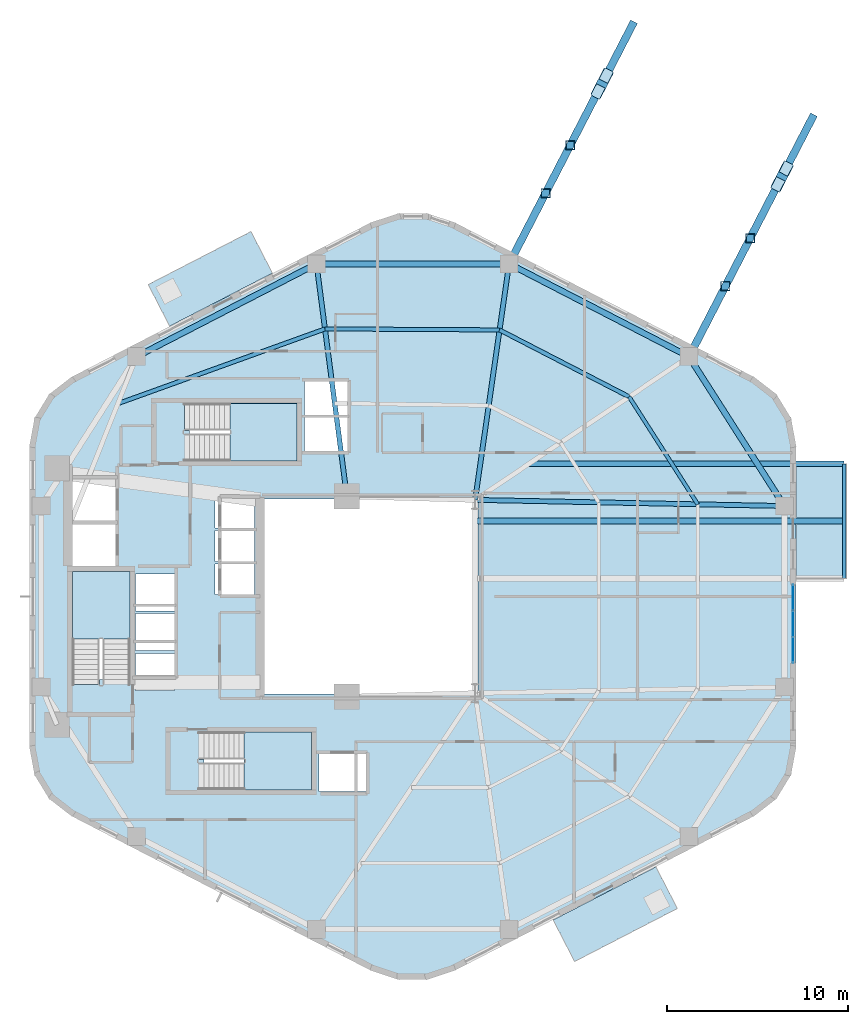
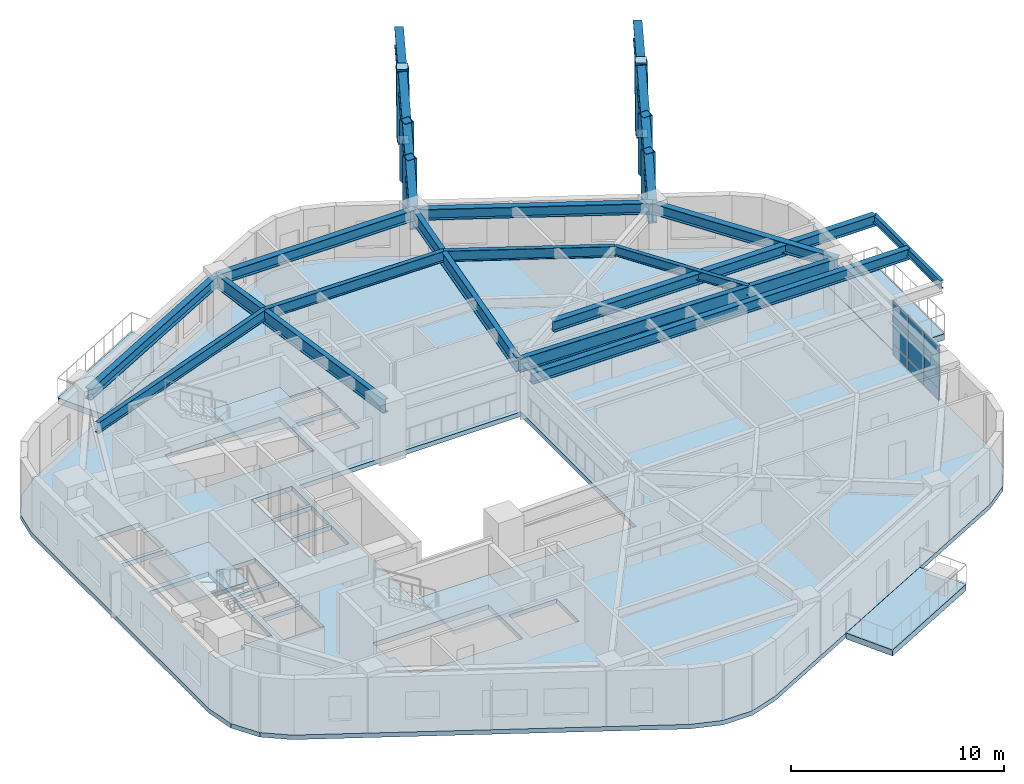
# One storey, part 3 of 10: 16 beams, 10 plates, 7 slabs, 6 members, 4 elements without a shape of their own.
"""IFC4 building model written with IfcOpenShell, lengths in metres."""

import ifcopenshell
import ifcopenshell.guid

model = None  # the IFC model being written
_history = None  # IfcOwnerHistory: only IFC2X3 demands one
_inside = {}  # id of a spatial element -> (the spatial element, [elements in it])
_under = {}  # id of a project, library or spatial element -> (it, [spatial elements below it])
_declared = {}  # id of a project -> (the project, [libraries it declares])
_typed = {}  # id of a type object -> (the type object, [elements of that type])
_made_of = {}  # id of a material, layer set ... -> (it, [elements and type objects made of it])


def new_model(schema):
    """Start an empty IFC model of exactly this schema.

    Asked for "IFC4X3", IfcOpenShell would pick the latest addendum, in which some entities
    have other attributes; the version numbers below select the first issue.
    IFC2X3 requires an IfcOwnerHistory on every rooted entity: one is made here for all.
    """
    global model, _history
    if schema == "IFC4X3":
        model = ifcopenshell.file(schema_version=(4, 3, 0, 0))
    else:
        model = ifcopenshell.file(schema=schema)
    _inside.clear()
    _under.clear()
    _declared.clear()
    _typed.clear()
    _made_of.clear()
    _history = None
    if model.schema == "IFC2X3":
        org = make("IfcOrganization", Name="unknown")
        user = make(
            "IfcPersonAndOrganization",
            ThePerson=make("IfcPerson", FamilyName="unknown"),
            TheOrganization=org,
        )
        app = make(
            "IfcApplication",
            ApplicationDeveloper=org,
            Version="unknown",
            ApplicationFullName="unknown",
            ApplicationIdentifier="unknown",
        )
        _history = make(
            "IfcOwnerHistory",
            OwningUser=user,
            OwningApplication=app,
            ChangeAction="ADDED",
            CreationDate=0,
        )
    return model


def make(cls, **values):
    """One entity of the class cls with the attributes given. An attribute that is None is left unset."""
    return model.create_entity(
        cls, **{name: value for name, value in values.items() if value is not None}
    )


def rooted(cls, **values):
    """An entity with a GlobalId (a new one), such as an element, a storey or a relation."""
    return make(cls, GlobalId=ifcopenshell.guid.new(), OwnerHistory=_history, **values)


def si_unit(unit_type, name, prefix=None):
    """IfcSIUnit, for example si_unit("LENGTHUNIT", "METRE", prefix="MILLI")."""
    return make("IfcSIUnit", UnitType=unit_type, Prefix=prefix, Name=name)


def assignment(units):
    """IfcUnitAssignment: the units of a project."""
    return None if units is None else make("IfcUnitAssignment", Units=units)


def point(xyz):
    """IfcCartesianPoint."""
    return None if xyz is None else make("IfcCartesianPoint", Coordinates=xyz)


def direction(xyz):
    """IfcDirection."""
    return None if xyz is None else make("IfcDirection", DirectionRatios=xyz)


def frame(location, z_axis=None, x_axis=None):
    """IfcAxis2Placement3D, a coordinate frame: its origin and axes. An axis left out is left unset."""
    return make(
        "IfcAxis2Placement3D",
        Location=point(location),
        Axis=direction(z_axis),
        RefDirection=direction(x_axis),
    )


def frame_2d(location, x_axis=None):
    """IfcAxis2Placement2D, a coordinate frame in the plane: its origin and x axis."""
    return make(
        "IfcAxis2Placement2D", Location=point(location), RefDirection=direction(x_axis)
    )


def origin():
    """The frame at (0, 0, 0) with its axes left unset."""
    return frame((0.0, 0.0, 0.0))


def origin_2d():
    """The frame at (0, 0) in the plane with its x axis left unset."""
    return frame_2d((0.0, 0.0))


def place(relative_to, where):
    """IfcLocalPlacement: puts the frame where relative to a parent placement (None: the world)."""
    return make(
        "IfcLocalPlacement", PlacementRelTo=relative_to, RelativePlacement=where
    )


def context(
    kind, dimensions, precision=None, world=None, true_north=None, identifier=None
):
    """IfcGeometricRepresentationContext, for example the 3D "Model" context."""
    return make(
        "IfcGeometricRepresentationContext",
        ContextIdentifier=identifier,
        ContextType=kind,
        CoordinateSpaceDimension=dimensions,
        Precision=precision,
        WorldCoordinateSystem=world,
        TrueNorth=true_north,
    )


def subcontext(parent, identifier, kind, view, scale=None):
    """IfcGeometricRepresentationSubContext, for example "Body" below "Model"."""
    return make(
        "IfcGeometricRepresentationSubContext",
        ContextIdentifier=identifier,
        ContextType=kind,
        ParentContext=parent,
        TargetScale=scale,
        TargetView=view,
    )


def project(units=None, contexts=None):
    """IfcProject with its units and contexts."""
    return rooted(
        "IfcProject",
        Name="project",
        RepresentationContexts=contexts,
        UnitsInContext=assignment(units),
    )


def spatial(cls, under=None, at=None, **own):
    """A site, building, storey or space (cls), placed at a placement, below another one or the project."""
    s = rooted(cls, ObjectPlacement=at, **own)
    if under is not None:
        _under.setdefault(under.id(), (under, []))[1].append(s)
    return s


def polyline(points):
    """IfcPolyline through the points."""
    return make("IfcPolyline", Points=[point(p) for p in points])


def profile(cls, at=None, kind="AREA", **sizes):
    """A parametric profile (cls). Its sizes go by their IFC names, for example OverallWidth=200.0."""
    return make(cls, ProfileType=kind, Position=at, **sizes)


def rectangle(**sizes):
    """IfcRectangleProfileDef."""
    return profile("IfcRectangleProfileDef", **sizes)


def hollow_rectangle(**sizes):
    """IfcRectangleHollowProfileDef."""
    return profile("IfcRectangleHollowProfileDef", **sizes)


def i_section(**sizes):
    """IfcIShapeProfileDef."""
    return profile("IfcIShapeProfileDef", **sizes)


def outline(outer, holes=None, kind="AREA"):
    """IfcArbitraryClosedProfileDef: a profile drawn as a closed curve; with holes, ...WithVoids."""
    if holes is None:
        return make("IfcArbitraryClosedProfileDef", ProfileType=kind, OuterCurve=outer)
    return make(
        "IfcArbitraryProfileDefWithVoids",
        ProfileType=kind,
        OuterCurve=outer,
        InnerCurves=holes,
    )


def extrude(swept, where, along, depth):
    """IfcExtrudedAreaSolid: the profile swept, set in the frame where, extruded along a direction by depth."""
    return make(
        "IfcExtrudedAreaSolid",
        SweptArea=swept,
        Position=where,
        ExtrudedDirection=direction(along),
        Depth=depth,
    )


def shape(context_of_items, identifier, shape_type, items):
    """IfcShapeRepresentation: the items that make up one representation, for example the "Body"."""
    return make(
        "IfcShapeRepresentation",
        ContextOfItems=context_of_items,
        RepresentationIdentifier=identifier,
        RepresentationType=shape_type,
        Items=items,
    )


def material(Name=None, Category=None):
    """IfcMaterial."""
    return make("IfcMaterial", Name=Name, Category=Category)


def layer(
    of_material, thickness, ventilated=None, Name=None, Category=None, Priority=None
):
    """IfcMaterialLayer: one layer of a wall or slab, of a material (None: an air gap)."""
    return make(
        "IfcMaterialLayer",
        Material=of_material,
        LayerThickness=thickness,
        IsVentilated=ventilated,
        Name=Name,
        Category=Category,
        Priority=Priority,
    )


def layer_set(layers, Name=None):
    """IfcMaterialLayerSet."""
    return make("IfcMaterialLayerSet", MaterialLayers=layers, LayerSetName=Name)


def material_profile(
    of_material, cross_section, Name=None, Category=None, Priority=None
):
    """IfcMaterialProfile: a cross section and its material."""
    return make(
        "IfcMaterialProfile",
        Name=Name,
        Material=of_material,
        Profile=cross_section,
        Priority=Priority,
        Category=Category,
    )


def profile_set(profiles, Name=None, composite=None):
    """IfcMaterialProfileSet."""
    return make(
        "IfcMaterialProfileSet",
        Name=Name,
        MaterialProfiles=profiles,
        CompositeProfile=composite,
    )


def made_of(thing, what):
    """Note that an element or type object is made of a material, layer set ...; save() writes the relation."""
    if what is not None:
        _made_of.setdefault(what.id(), (what, []))[1].append(thing)
    return thing


def type_object(cls, material=None, **own):
    """A type object (cls), such as IfcWallType, which elements share."""
    return made_of(rooted(cls, **own), material)


def element(
    cls,
    number,
    at=None,
    inside=None,
    cuts=None,
    type_object=None,
    material=None,
    context=None,
    identifier="Body",
    shape_type=None,
    held_by="IfcProductDefinitionShape",
    body=None,
    shapes=None,
    **own,
):
    """One element of the class cls, such as IfcWall. Its Tag is "e" and its number.

    at: its placement. inside: the storey or other place that contains it. cuts: it is an
    opening in that element (IfcRelVoidsElement). A single representation is given by context,
    identifier, shape_type and body (its items); several are given by shapes. held_by: the class
    of the entity that holds the representations. save() writes the other relations.
    """
    e = rooted(cls, Tag="e%d" % number, ObjectPlacement=at, **own)
    if body is not None:
        shapes = [shape(context, identifier, shape_type, body)]
    if shapes is not None:
        e.Representation = make(held_by, Representations=shapes)
    if inside is not None:
        _inside.setdefault(inside.id(), (inside, []))[1].append(e)
    if cuts is not None:
        rooted(
            "IfcRelVoidsElement", RelatingBuildingElement=cuts, RelatedOpeningElement=e
        )
    if type_object is not None:
        _typed.setdefault(type_object.id(), (type_object, []))[1].append(e)
    return made_of(e, material)


def aggregate(whole, parts):
    """IfcRelAggregates: a whole, such as a stair, and the parts it consists of."""
    return rooted("IfcRelAggregates", RelatingObject=whole, RelatedObjects=parts)


def save(model, path):
    """Write the relations noted so far, then the file.

    IfcRelAggregates (storeys below a building ...), IfcRelContainedInSpatialStructure (elements
    in a storey), IfcRelDefinesByType, IfcRelAssociatesMaterial and IfcRelDeclares: one each for
    every whole, place, type object, material and project.
    """
    for whole, parts in _under.values():
        aggregate(whole, parts)
    for where, things in _inside.values():
        rooted(
            "IfcRelContainedInSpatialStructure",
            RelatedElements=things,
            RelatingStructure=where,
        )
    for kind, things in _typed.values():
        rooted("IfcRelDefinesByType", RelatedObjects=things, RelatingType=kind)
    for what, things in _made_of.values():
        rooted("IfcRelAssociatesMaterial", RelatedObjects=things, RelatingMaterial=what)
    for by, libraries in _declared.values():
        rooted("IfcRelDeclares", RelatingContext=by, RelatedDefinitions=libraries)
    model.write(path)


model = new_model("IFC4")

# Units and contexts
model_context = context("Model", 3, precision=1e-05, world=origin(), true_north=direction((0.0, 1.0)))
body_context = subcontext(model_context, "Body", "Model", "MODEL_VIEW")
ifc_project = project(units=[si_unit("LENGTHUNIT", "METRE"), si_unit("AREAUNIT", "SQUARE_METRE"), si_unit("VOLUMEUNIT", "CUBIC_METRE"), si_unit("PLANEANGLEUNIT", "RADIAN"), si_unit("MASSUNIT", "GRAM", prefix="KILO"), si_unit("THERMODYNAMICTEMPERATUREUNIT", "KELVIN"), si_unit("POWERUNIT", "WATT")], contexts=[model_context])

# Site, building, storey
site_placement = place(None, origin())
site = spatial("IfcSite", under=ifc_project, at=site_placement, CompositionType="ELEMENT")
building_placement = place(site_placement, origin())
building = spatial("IfcBuilding", under=site, at=building_placement, Name="Skarre Station Tower", CompositionType="ELEMENT")
storey_placement = place(building_placement, frame((0.0, 0.0, 105.0)))
storey = spatial("IfcBuildingStorey", under=building, at=storey_placement, Name="L27", CompositionType="ELEMENT", Elevation=105.0)

# Beams
ifc_material_1 = material(Name="Steel ASTM A992 Grade 50", Category="steel")
ifc_material_profile_1 = material_profile(ifc_material_1, i_section(OverallWidth=0.323974609375, OverallDepth=0.611083984375, WebThickness=0.012939453125, FlangeThickness=0.01904296875, at=origin_2d()), Name="Steel ASTM A992 Grade 50")
ifc_profile_set_1 = profile_set([ifc_material_profile_1], Name="Steel ASTM A992 Grade 50")
beam_type_1 = type_object("IfcBeamType", Name="Steel Beam W24X104", PredefinedType="BEAM", material=ifc_profile_set_1)
beam_1_placement = place(storey_placement, frame((39.449951171875, 28.176025390625, 2.779052734375), z_axis=(1.0, 0.0, 0.0), x_axis=(0.0, 1.0, 0.0)))
element("IfcBeam", 1, at=beam_1_placement, inside=storey, type_object=beam_type_1, Name="L27 SG-1-L28 Center Outrigger Beam", PredefinedType="BEAM", context=body_context, shape_type="SweptSolid", body=[
    extrude(i_section(OverallWidth=0.323974609375, OverallDepth=0.611083984375, WebThickness=0.012939453125, FlangeThickness=0.01904296875, at=origin_2d()), origin(), (0.0, 0.0, 1.0), 20.427978515625),
])
beam_2_placement = place(storey_placement, frame((42.43798828125, 31.35009765625, 2.779052734375), z_axis=(1.0, 0.0, 0.0), x_axis=(0.0, 1.0, 0.0)))
element("IfcBeam", 2, at=beam_2_placement, inside=storey, type_object=beam_type_1, Name="L27 SG-1-L28 Outrigger Beam 1", PredefinedType="BEAM", context=body_context, shape_type="SweptSolid", body=[
    extrude(i_section(OverallWidth=0.323974609375, OverallDepth=0.611083984375, WebThickness=0.012939453125, FlangeThickness=0.01904296875, at=origin_2d()), origin(), (0.0, 0.0, 1.0), 17.43994140625),
])
ifc_material_profile_2 = material_profile(ifc_material_1, i_section(OverallWidth=0.26806640625, OverallDepth=0.77001953125, WebThickness=0.01611328125, FlangeThickness=0.02490234375, at=origin_2d()), Name="Steel ASTM A992 Grade 50")
ifc_profile_set_2 = profile_set([ifc_material_profile_2], Name="Steel ASTM A992 Grade 50")
beam_type_2 = type_object("IfcBeamType", Name="Steel Beam W30X132", PredefinedType="BEAM", material=ifc_profile_set_2)
beam_3_placement = place(storey_placement, frame((39.449951171875, 29.35009765625, 2.804931640625), z_axis=(0.142480121776, 0.989797663616, 0.0), x_axis=(-0.989797663616, 0.142480121776, 0.0)))
element("IfcBeam", 3, at=beam_3_placement, inside=storey, type_object=beam_type_2, Name="L27 Radial Floor Girder F0C2", PredefinedType="BEAM", context=body_context, shape_type="SweptSolid", body=[
    extrude(i_section(OverallWidth=0.26806640625, OverallDepth=0.77001953125, WebThickness=0.01611328125, FlangeThickness=0.02490234375, at=origin_2d()), origin(), (0.0, 0.0, 1.0), 13.20263671875),
])
beam_4_placement = place(storey_placement, frame((32.35009765625, 29.550048828125, 2.804931640625), z_axis=(-0.129545878778, 0.991573429097, 0.0), x_axis=(-0.991573429097, -0.129545878778, 0.0)))
element("IfcBeam", 4, at=beam_4_placement, inside=storey, type_object=beam_type_2, Name="L27 Radial Floor Girder F1C1", PredefinedType="BEAM", context=body_context, shape_type="SweptSolid", body=[
    extrude(i_section(OverallWidth=0.26806640625, OverallDepth=0.77001953125, WebThickness=0.01611328125, FlangeThickness=0.02490234375, at=origin_2d()), origin(), (0.0, 0.0, 1.0), 12.977294921875),
])
beam_5_placement = place(storey_placement, frame((39.449951171875, 29.35009765625, 2.804931640625), z_axis=(0.999803839107, -0.019806143142, 0.0), x_axis=(0.019806143142, 0.999803839107, 0.0)))
element("IfcBeam", 5, at=beam_5_placement, inside=storey, type_object=beam_type_2, Name="L27 Radial Floor Girder F5C2", PredefinedType="BEAM", context=body_context, shape_type="SweptSolid", body=[
    extrude(i_section(OverallWidth=0.26806640625, OverallDepth=0.77001953125, WebThickness=0.01611328125, FlangeThickness=0.02490234375, at=origin_2d()), origin(), (0.0, 0.0, 1.0), 17.12158203125),
])
ifc_material_profile_3 = material_profile(ifc_material_1, i_section(OverallWidth=0.19091796875, OverallDepth=0.45703125, WebThickness=0.009033203125, FlangeThickness=0.013916015625, at=origin_2d()), Name="Steel ASTM A992 Grade 50")
ifc_profile_set_3 = profile_set([ifc_material_profile_3], Name="Steel ASTM A992 Grade 50")
beam_type_3 = type_object("IfcBeamType", Name="Steel Joist W18X50", PredefinedType="JOIST", material=ifc_profile_set_3)
beam_6_placement = place(storey_placement, frame((59.8779296875, 31.35009765625, 2.85595703125), z_axis=(0.0, -1.0, 0.0), x_axis=(1.0, 0.0, 0.0)))
element("IfcBeam", 6, at=beam_6_placement, inside=storey, type_object=beam_type_3, Name="L27 SG-1-L28 Rim Beam", PredefinedType="JOIST", context=body_context, shape_type="SweptSolid", body=[
    extrude(i_section(OverallWidth=0.19091796875, OverallDepth=0.45703125, WebThickness=0.009033203125, FlangeThickness=0.013916015625, at=origin_2d()), origin(), (0.0, 0.0, 1.0), 6.34814453125),
])
ifc_material_profile_4 = material_profile(ifc_material_1, i_section(OverallWidth=0.208984375, OverallDepth=0.532958984375, WebThickness=0.010009765625, FlangeThickness=0.01611328125, at=origin_2d()), Name="Steel ASTM A992 Grade 50")
ifc_profile_set_4 = profile_set([ifc_material_profile_4], Name="Steel ASTM A992 Grade 50")
beam_type_4 = type_object("IfcBeamType", Name="Steel Joist W21X62", PredefinedType="JOIST", material=ifc_profile_set_4)
beam_7_placement = place(storey_placement, frame((51.77490234375, 29.10595703125, 2.924072265625), z_axis=(-0.538072046089, 0.842898851119, 0.0), x_axis=(-0.842898851119, -0.538072046089, 0.0)))
element("IfcBeam", 7, at=beam_7_placement, inside=storey, type_object=beam_type_4, Name="L27 Auxiliary Composite Joist 16", PredefinedType="JOIST", context=body_context, shape_type="SweptSolid", body=[
    extrude(i_section(OverallWidth=0.208984375, OverallDepth=0.532958984375, WebThickness=0.010009765625, FlangeThickness=0.01611328125, at=origin_2d()), origin(), (0.0, 0.0, 1.0), 7.06005859375),
])
ifc_material_profile_5 = material_profile(ifc_material_1, i_section(OverallWidth=0.22802734375, OverallDepth=0.60791015625, WebThickness=0.010986328125, FlangeThickness=0.01708984375, at=origin_2d()), Name="Steel ASTM A992 Grade 50")
ifc_profile_set_5 = profile_set([ifc_material_profile_5], Name="Steel ASTM A992 Grade 50")
beam_type_5 = type_object("IfcBeamType", Name="Steel Joist W24X76", PredefinedType="JOIST", material=ifc_profile_set_5)
beam_8_placement = place(storey_placement, frame((47.97607421875, 35.056884765625, 2.885986328125), z_axis=(-0.888599977053, 0.458682985057, 0.0), x_axis=(-0.458682985057, -0.888599977053, 0.0)))
element("IfcBeam", 8, at=beam_8_placement, inside=storey, type_object=beam_type_5, Name="L27 Secondary Floor Joist 2", PredefinedType="JOIST", context=body_context, shape_type="SweptSolid", body=[
    extrude(i_section(OverallWidth=0.22802734375, OverallDepth=0.60791015625, WebThickness=0.010986328125, FlangeThickness=0.01708984375, at=origin_2d()), origin(), (0.0, 0.0, 1.0), 8.0712890625),
])
beam_9_placement = place(storey_placement, frame((40.803955078125, 38.759033203125, 2.885986328125), z_axis=(-0.999983266349, 0.005785068917, 0.0), x_axis=(-0.005785068917, -0.999983266349, 0.0)))
element("IfcBeam", 9, at=beam_9_placement, inside=storey, type_object=beam_type_5, Name="L27 Secondary Floor Joist 4", PredefinedType="JOIST", context=body_context, shape_type="SweptSolid", body=[
    extrude(i_section(OverallWidth=0.22802734375, OverallDepth=0.60791015625, WebThickness=0.010986328125, FlangeThickness=0.01708984375, at=origin_2d()), origin(), (0.0, 0.0, 1.0), 9.664306640625),
])
beam_10_placement = place(storey_placement, frame((31.139892578125, 38.81494140625, 2.885986328125), z_axis=(-0.940679663546, -0.339295992594, 0.0), x_axis=(0.339295992594, -0.940679663546, 0.0)))
element("IfcBeam", 10, at=beam_10_placement, inside=storey, type_object=beam_type_5, Name="L27 Secondary Floor Joist 6", PredefinedType="JOIST", context=body_context, shape_type="SweptSolid", body=[
    extrude(i_section(OverallWidth=0.22802734375, OverallDepth=0.60791015625, WebThickness=0.010986328125, FlangeThickness=0.01708984375, at=origin_2d()), origin(), (0.0, 0.0, 1.0), 12.18994140625),
])
ifc_material_profile_6 = material_profile(ifc_material_1, i_section(OverallWidth=0.327880859375, OverallDepth=0.6279296875, WebThickness=0.01708984375, FlangeThickness=0.028076171875, at=origin_2d()), Name="Steel ASTM A992 Grade 50")
ifc_profile_set_6 = profile_set([ifc_material_profile_6], Name="Steel ASTM A992 Grade 50")
beam_type_6 = type_object("IfcBeamType", Name="Steel Spandrel W24X146", PredefinedType="SPANDREL", material=ifc_profile_set_6)
beam_11_placement = place(storey_placement, frame((51.291015625, 37.277099609375, 2.8759765625), z_axis=(-0.888611779493, 0.458660119639, 0.0), x_axis=(-0.458660119639, -0.888611779493, 0.0)))
element("IfcBeam", 11, at=beam_11_placement, inside=storey, type_object=beam_type_6, Name="L27 Facet Spandrel Beam 1", PredefinedType="SPANDREL", context=body_context, shape_type="SweptSolid", body=[
    extrude(i_section(OverallWidth=0.327880859375, OverallDepth=0.6279296875, WebThickness=0.01708984375, FlangeThickness=0.028076171875, at=origin_2d()), origin(), (0.0, 0.0, 1.0), 11.20849609375),
])
beam_12_placement = place(storey_placement, frame((41.3310546875, 42.41796875, 2.8759765625), z_axis=(-1.0, 0.0, 0.0), x_axis=(0.0, -1.0, 0.0)))
element("IfcBeam", 12, at=beam_12_placement, inside=storey, type_object=beam_type_6, Name="L27 Facet Spandrel Beam 2", PredefinedType="SPANDREL", context=body_context, shape_type="SweptSolid", body=[
    extrude(i_section(OverallWidth=0.327880859375, OverallDepth=0.6279296875, WebThickness=0.01708984375, FlangeThickness=0.028076171875, at=origin_2d()), origin(), (0.0, 0.0, 1.0), 10.662109375),
])
beam_13_placement = place(storey_placement, frame((30.6689453125, 42.41796875, 2.8759765625), z_axis=(-0.888611779493, -0.458660119639, 0.0), x_axis=(0.458660119639, -0.888611779493, 0.0)))
element("IfcBeam", 13, at=beam_13_placement, inside=storey, type_object=beam_type_6, Name="L27 Facet Spandrel Beam 3", PredefinedType="SPANDREL", context=body_context, shape_type="SweptSolid", body=[
    extrude(i_section(OverallWidth=0.327880859375, OverallDepth=0.6279296875, WebThickness=0.01708984375, FlangeThickness=0.028076171875, at=origin_2d()), origin(), (0.0, 0.0, 1.0), 11.20849609375),
])
beam_14_placement = place(storey_placement, frame((56.568115234375, 29.010986328125, 2.8759765625), z_axis=(-0.538097547923, 0.842882571251, 0.0), x_axis=(-0.842882571251, -0.538097547923, 0.0)))
element("IfcBeam", 14, at=beam_14_placement, inside=storey, type_object=beam_type_6, Name="L27 Facet Spandrel Beam 12", PredefinedType="SPANDREL", context=body_context, shape_type="SweptSolid", body=[
    extrude(i_section(OverallWidth=0.327880859375, OverallDepth=0.6279296875, WebThickness=0.01708984375, FlangeThickness=0.028076171875, at=origin_2d()), origin(), (0.0, 0.0, 1.0), 9.806884765625),
])
ifc_material_2 = material(Name="Steel ASTM A913 Grade 65", Category="steel")
ifc_material_profile_7 = material_profile(ifc_material_2, i_section(OverallWidth=0.424072265625, OverallDepth=1.092041015625, WebThickness=0.044921875, FlangeThickness=0.08203125, at=origin_2d()), Name="Steel ASTM A913 Grade 65")
ifc_profile_set_7 = profile_set([ifc_material_profile_7], Name="Steel ASTM A913 Grade 65")
beam_type_7 = type_object("IfcBeamType", Name="Steel Transfer Girder W40X593", PredefinedType="USERDEFINED", material=ifc_profile_set_7)
beam_15_placement = place(storey_placement, frame((51.291015625, 37.277099609375, 2.48388671875), z_axis=(0.458639620505, 0.888622359893, 0.0), x_axis=(-0.888622359893, 0.458639620505, 0.0)))
element("IfcBeam", 15, at=beam_15_placement, inside=storey, type_object=beam_type_7, Name="L27 SB-2 Exoskeleton Tier-3 Transfer Girder S1", ObjectType="TRANSFER_GIRDER", PredefinedType="USERDEFINED", context=body_context, shape_type="SweptSolid", body=[
    extrude(i_section(OverallWidth=0.424072265625, OverallDepth=1.092041015625, WebThickness=0.044921875, FlangeThickness=0.08203125, at=origin_2d()), origin(), (0.0, 0.0, 1.0), 15.079345703125),
])
beam_16_placement = place(storey_placement, frame((41.3310546875, 42.41796875, 2.48388671875), z_axis=(0.458633022099, 0.88862576546, 0.0), x_axis=(-0.88862576546, 0.458633022099, 0.0)))
element("IfcBeam", 16, at=beam_16_placement, inside=storey, type_object=beam_type_7, Name="L27 SB-2 Exoskeleton Tier-3 Transfer Girder S2", ObjectType="TRANSFER_GIRDER", PredefinedType="USERDEFINED", context=body_context, shape_type="SweptSolid", body=[
    extrude(i_section(OverallWidth=0.424072265625, OverallDepth=1.092041015625, WebThickness=0.044921875, FlangeThickness=0.08203125, at=origin_2d()), origin(), (0.0, 0.0, 1.0), 15.07958984375),
])

# Members
ifc_material_3 = material(Name="Steel ASTM A501 Grade B", Category="steel")
ifc_material_profile_8 = material_profile(ifc_material_3, hollow_rectangle(XDim=0.5, YDim=0.5, WallThickness=0.02490234375, at=origin_2d()), Name="Steel ASTM A501 Grade B")
ifc_profile_set_8 = profile_set([ifc_material_profile_8], Name="Steel ASTM A501 Grade B")
member_type_1 = type_object("IfcMemberType", Name="Steel Truss Strut HSS500X500X25", PredefinedType="STRUT", material=ifc_profile_set_8)
for number, where, z_axis, x_axis, name in (
    (17, (53.30908203125, 41.18701171875, -0.43994140625), (0.0, 0.0, 1.0), (1.0, 0.0, 0.0), "L27 SB-2 Exoskeleton Post Tier 3-1 S1"),
    (18, (54.676025390625, 43.8349609375, -0.43994140625), (0.0, 0.0, 1.0), (1.0, 0.0, 0.0), "L27 SB-2 Exoskeleton Post Tier 3-2 S1"),
    (19, (43.34912109375, 46.327880859375, -0.43994140625), (0.0, 0.0, 1.0), (1.0, 0.0, 0.0), "L27 SB-2 Exoskeleton Post Tier 3-1 S2"),
    (20, (44.716064453125, 48.97607421875, -0.43994140625), (0.0, 0.0, 1.0), (1.0, 0.0, 0.0), "L27 SB-2 Exoskeleton Post Tier 3-2 S2"),
):
    element("IfcMember", number, at=place(storey_placement, frame(where, z_axis=z_axis, x_axis=x_axis)), inside=storey, type_object=member_type_1, Name=name, PredefinedType="STRUT", context=body_context, shape_type="SweptSolid", body=[
        extrude(hollow_rectangle(XDim=0.5, YDim=0.5, WallThickness=0.02490234375, at=origin_2d()), origin(), (0.0, 0.0, 1.0), 3.469970703125),
    ])
ifc_material_profile_9 = material_profile(ifc_material_3, hollow_rectangle(XDim=0.60009765625, YDim=0.60009765625, WallThickness=0.028076171875, at=origin_2d()), Name="Steel ASTM A501 Grade B")
ifc_profile_set_9 = profile_set([ifc_material_profile_9], Name="Steel ASTM A501 Grade B")
member_type_2 = type_object("IfcMemberType", Name="Steel Truss Strut HSS600X600X28", PredefinedType="STRUT", material=ifc_profile_set_9)
for number, where, z_axis, x_axis, name in (
    (21, (56.2119140625, 46.81201171875, -0.43994140625), (0.127104942725, 0.245893976964, 0.960926888805), (-0.888337904777, 0.459190338461, 0.0), "L27 SB-2 Exoskeleton Raking Strut Tier 3 S1"),
    (22, (46.251953125, 51.952880859375, -0.43994140625), (0.127102829412, 0.24595749649, 0.960910911935), (-0.888389389579, 0.459090723587, 0.0), "L27 SB-2 Exoskeleton Raking Strut Tier 3 S2"),
):
    element("IfcMember", number, at=place(storey_placement, frame(where, z_axis=z_axis, x_axis=x_axis)), inside=storey, type_object=member_type_2, Name=name, PredefinedType="STRUT", context=body_context, shape_type="SweptSolid", body=[
        extrude(hollow_rectangle(XDim=0.60009765625, YDim=0.60009765625, WallThickness=0.028076171875, at=origin_2d()), origin(), (0.0, 0.0, 1.0), 3.611083984375),
    ])

# Curtain wall, plates
ifc_material_4 = material(Name="Thermally Broken Bronze-Anodized Aluminium & Triple Low-E Glass", Category="aluminium")
ifc_layer_1 = layer(ifc_material_4, 0.18994140625, Name="Thermally Broken Bronze-Anodized Aluminium & Triple Low-E Glass")
ifc_layer_set_1 = layer_set([ifc_layer_1], Name="Thermally Broken Bronze-Anodized Aluminium & Triple Low-E Glass")
curtain_wall_type = type_object("IfcCurtainWallType", Name="Sky-Garden Setback Conservatory Curtain Wall", PredefinedType="NOTDEFINED", material=ifc_layer_set_1)
curtain_wall_placement = place(storey_placement, origin())
curtain_wall = element("IfcCurtainWall", 23, at=curtain_wall_placement, inside=storey, type_object=curtain_wall_type, Name="L27 Facet 5 Conservatory Curtain Wall", PredefinedType="NOTDEFINED")
ifc_material_5 = material(Name="Insulated Bronze Anodized Aluminium Spandrel", Category="aluminium")
ifc_layer_2 = layer(ifc_material_5, 0.052001953125, Name="Insulated Bronze Anodized Aluminium Spandrel")
ifc_layer_set_2 = layer_set([ifc_layer_2], Name="Insulated Bronze Anodized Aluminium Spandrel")
plate_type_1 = type_object("IfcPlateType", Name="Bronze Insulated Spandrel Sheet Panel 52", PredefinedType="SHEET", material=ifc_layer_set_2)
plate_1_placement = place(storey_placement, frame((57.048095703125, 23.944091796875, 0.05224609375), z_axis=(0.0, 0.0, 1.0), x_axis=(0.0, -1.0, 0.0)))
plate_1 = element("IfcPlate", 24, at=plate_1_placement, type_object=plate_type_1, Name="L27 Facet 5 Conservatory Curtain Wall Spandrel Panel 1-1", PredefinedType="SHEET", context=body_context, shape_type="SweptSolid", body=[
    extrude(rectangle(XDim=1.424072265625, YDim=0.052001953125, at=origin_2d()), origin(), (0.0, 0.0, 1.0), 0.635986328125),
])
plate_2_placement = place(storey_placement, frame((57.048095703125, 22.49609375, 0.05224609375), z_axis=(0.0, 0.0, 1.0), x_axis=(0.0, -1.0, 0.0)))
plate_2 = element("IfcPlate", 25, at=plate_2_placement, type_object=plate_type_1, Name="L27 Facet 5 Conservatory Curtain Wall Spandrel Panel 2-1", PredefinedType="SHEET", context=body_context, shape_type="SweptSolid", body=[
    extrude(rectangle(XDim=1.424072265625, YDim=0.052001953125, at=origin_2d()), origin(), (0.0, 0.0, 1.0), 0.635986328125),
])
plate_3_placement = place(storey_placement, frame((57.048095703125, 21.049072265625, 0.05224609375), z_axis=(0.0, 0.0, 1.0), x_axis=(0.0, -1.0, 0.0)))
plate_3 = element("IfcPlate", 26, at=plate_3_placement, type_object=plate_type_1, Name="L27 Facet 5 Conservatory Curtain Wall Spandrel Panel 3-1", PredefinedType="SHEET", context=body_context, shape_type="SweptSolid", body=[
    extrude(rectangle(XDim=1.424072265625, YDim=0.052001953125, at=origin_2d()), origin(), (0.0, 0.0, 1.0), 0.635986328125),
])

# Plates
ifc_material_6 = material(Name="Steel ASTM A572 Grade 50", Category="steel")
ifc_layer_3 = layer(ifc_material_6, 0.031982421875, Name="Steel ASTM A572 Grade 50")
ifc_layer_set_3 = layer_set([ifc_layer_3], Name="Steel ASTM A572 Grade 50")
plate_type_2 = type_object("IfcPlateType", Name="Exoskeleton Strut Cap Plate 700x540x32", PredefinedType="USERDEFINED", material=ifc_layer_set_3)
for number, where, z_axis, x_axis, name in (
    (27, (56.2119140625, 46.81201171875, -0.44580078125), (0.0, 0.0, 1.0), (0.458649554484, 0.888617232655, 0.0), "L27 SB-2 Exoskeleton Tier-3 Base Gusset S1"),
    (28, (56.6708984375, 47.699951171875, 3.00390625), (0.0, 0.0, 1.0), (0.458649554484, 0.888617232655, 0.0), "L27 SB-2 Exoskeleton Tier-3 Head Gusset S1"),
    (29, (46.251953125, 51.952880859375, -0.44580078125), (0.0, 0.0, 1.0), (0.458649554484, 0.888617232655, 0.0), "L27 SB-2 Exoskeleton Tier-3 Base Gusset S2"),
    (30, (46.7109375, 52.841064453125, 3.00390625), (0.0, 0.0, 1.0), (0.458649554484, 0.888617232655, 0.0), "L27 SB-2 Exoskeleton Tier-3 Head Gusset S2"),
):
    element("IfcPlate", number, at=place(storey_placement, frame(where, z_axis=z_axis, x_axis=x_axis)), inside=storey, type_object=plate_type_2, Name=name, ObjectType="STIFFENER_PLATE", PredefinedType="USERDEFINED", context=body_context, shape_type="SweptSolid", body=[
        extrude(rectangle(XDim=0.699951171875, YDim=0.5400390625, at=origin_2d()), origin(), (0.0, 0.0, 1.0), 0.031982421875),
    ])

# Slabs
ifc_material_7 = material(Name="Precast concrete C50/60", Category="concrete")
ifc_layer_4 = layer(ifc_material_7, 0.340087890625, Name="Precast concrete C50/60")
ifc_layer_set_4 = layer_set([ifc_layer_4], Name="Precast concrete C50/60")
slab_type_1 = type_object("IfcSlabType", Name="Planted Tree-Balcony Cantilever Slab 340", PredefinedType="FLOOR", material=ifc_layer_set_4)
slab_1_placement = place(storey_placement, frame((0.0, 0.0, -0.340087890625)))
element("IfcSlab", 31, at=slab_1_placement, inside=storey, type_object=slab_type_1, Name="L27 Planted Tree-Balcony Deck TB-L27-F4", PredefinedType="FLOOR", context=body_context, shape_type="SweptSolid", body=[
    extrude(outline(polyline([(43.77001953125, 6.097900390625), (49.45703125, 9.033935546875), (50.64501953125, 6.73193359375), (44.9580078125, 3.797119140625), (43.77001953125, 6.097900390625)])), origin(), (0.0, 0.0, 1.0), 0.340087890625),
])
slab_2_placement = place(storey_placement, frame((0.0, 0.0, -0.340087890625)))
element("IfcSlab", 32, at=slab_2_placement, inside=storey, type_object=slab_type_1, Name="L27 Planted Tree-Balcony Deck TB-L27-F1", PredefinedType="FLOOR", context=body_context, shape_type="SweptSolid", body=[
    extrude(outline(polyline([(28.22998046875, 41.902099609375), (22.54296875, 38.966064453125), (21.35498046875, 41.26806640625), (27.0419921875, 44.202880859375), (28.22998046875, 41.902099609375)])), origin(), (0.0, 0.0, 1.0), 0.340087890625),
])

# Stair, slab
ifc_material_8 = material(Name="Concrete C40/50", Category="concrete")
stair_type_1 = type_object("IfcStairType", Name="Reinforced Concrete Exit Stair ST-1", PredefinedType="HALF_TURN_STAIR", material=ifc_material_8)
stair_1_placement = place(storey_placement, origin())
stair_1 = element("IfcStair", 33, at=stair_1_placement, inside=storey, type_object=stair_type_1, Name="L27 Core Exit Stair ST-1", PredefinedType="HALF_TURN_STAIR")
ifc_layer_5 = layer(ifc_material_8, 0.219970703125, Name="Concrete C40/50")
ifc_layer_set_5 = layer_set([ifc_layer_5], Name="Concrete C40/50")
slab_type_2 = type_object("IfcSlabType", Name="Reinforced Concrete Stair & Ramp Landing 220", PredefinedType="LANDING", material=ifc_layer_set_5)
slab_3_placement = place(storey_placement, frame((0.0, 0.0, 1.52490234375)))
slab_3 = element("IfcSlab", 34, at=slab_3_placement, type_object=slab_type_2, Name="ST-1 landing 1", PredefinedType="LANDING", context=body_context, shape_type="SweptSolid", body=[
    extrude(outline(polyline([(20.35009765625, 21.639892578125), (20.35009765625, 25.39990234375), (17.14990234375, 25.39990234375), (17.14990234375, 21.639892578125), (20.35009765625, 21.639892578125)])), origin(), (0.0, 0.0, 1.0), 0.2001953125),
])
aggregate(stair_1, [slab_3])

stair_type_2 = type_object("IfcStairType", Name="Reinforced Concrete Exit Stair ST-2", PredefinedType="HALF_TURN_STAIR", material=ifc_material_8)
stair_2_placement = place(storey_placement, origin())
stair_2 = element("IfcStair", 35, at=stair_2_placement, inside=storey, type_object=stair_type_2, Name="L27 Core Exit Stair ST-2", PredefinedType="HALF_TURN_STAIR")
slab_4_placement = place(storey_placement, frame((0.0, 0.0, 1.52490234375)))
slab_4 = element("IfcSlab", 36, at=slab_4_placement, type_object=slab_type_2, Name="ST-2 landing 1", PredefinedType="LANDING", context=body_context, shape_type="SweptSolid", body=[
    extrude(outline(polyline([(26.669921875, 13.300048828125), (30.39990234375, 13.300048828125), (30.39990234375, 16.5), (26.669921875, 16.5), (26.669921875, 13.300048828125)])), origin(), (0.0, 0.0, 1.0), 0.2001953125),
])
aggregate(stair_2, [slab_4])

stair_type_3 = type_object("IfcStairType", Name="Reinforced Concrete Exit Stair ST-3", PredefinedType="HALF_TURN_STAIR", material=ifc_material_8)
stair_3_placement = place(storey_placement, origin())
stair_3 = element("IfcStair", 37, at=stair_3_placement, inside=storey, type_object=stair_type_3, Name="L27 Core Exit Stair ST-3", PredefinedType="HALF_TURN_STAIR")
slab_5_placement = place(storey_placement, frame((0.0, 0.0, 1.52490234375)))
slab_5 = element("IfcSlab", 38, at=slab_5_placement, type_object=slab_type_2, Name="ST-3 landing 1", PredefinedType="LANDING", context=body_context, shape_type="SweptSolid", body=[
    extrude(outline(polyline([(25.8701171875, 31.5), (29.60009765625, 31.5), (29.60009765625, 34.699951171875), (25.8701171875, 34.699951171875), (25.8701171875, 31.5)])), origin(), (0.0, 0.0, 1.0), 0.2001953125),
])
aggregate(stair_3, [slab_5])

# Slabs
ifc_material_9 = material(Name="Concrete C50/60", Category="concrete")
ifc_layer_6 = layer(ifc_material_9, 0.419921875, Name="Concrete C50/60")
ifc_layer_set_6 = layer_set([ifc_layer_6], Name="Concrete C50/60")
slab_type_3 = type_object("IfcSlabType", Name="Sky-Garden & Lookout Terrace Slab 360", PredefinedType="FLOOR", material=ifc_layer_set_6)
slab_6_placement = place(storey_placement, frame((0.0, 0.0, -0.360107421875)))
element("IfcSlab", 39, at=slab_6_placement, inside=storey, type_object=slab_type_3, Name="L27 SG-1 Planted Sky-Garden Terrace Slab", PredefinedType="FLOOR", context=body_context, shape_type="SweptSolid", body=[
    extrude(outline(polyline([(57.22802734375, 31.35009765625), (57.22802734375, 25.001953125), (60.01806640625, 25.001953125), (60.01806640625, 31.35009765625), (57.22802734375, 31.35009765625)])), origin(), (0.0, 0.0, 1.0), 0.360107421875),
])
ifc_layer_7 = layer(ifc_material_9, 0.260009765625, Name="Concrete C50/60")
ifc_layer_set_7 = layer_set([ifc_layer_7], Name="Concrete C50/60")
slab_type_4 = type_object("IfcSlabType", Name="Tower Typical Composite Floor Slab 260", PredefinedType="FLOOR", material=ifc_layer_set_7)
slab_7_placement = place(storey_placement, frame((0.0, 0.0, -0.260009765625)))
element("IfcSlab", 40, at=slab_7_placement, inside=storey, type_object=slab_type_4, Name="L27 Zone 2 Structural Floor Slab", PredefinedType="FLOOR", context=body_context, shape_type="SweptSolid", body=[
    extrude(outline(polyline([(57.218017578125, 32.35205078125), (56.93701171875, 33.873046875), (56.132080078125, 35.194091796875), (54.908935546875, 36.14111328125), (38.30908203125, 44.708984375), (36.7958984375, 45.2060546875), (35.2041015625, 45.2060546875), (33.69091796875, 44.708984375), (17.091064453125, 36.14111328125), (15.867919921875, 35.194091796875), (15.06298828125, 33.873046875), (14.781982421875, 32.35205078125), (14.781982421875, 15.64794921875), (15.06298828125, 14.126953125), (15.867919921875, 12.805908203125), (17.091064453125, 11.85888671875), (33.69091796875, 3.291015625), (35.2041015625, 2.7939453125), (36.7958984375, 2.7939453125), (38.30908203125, 3.291015625), (54.908935546875, 11.85888671875), (56.132080078125, 12.805908203125), (56.93701171875, 14.126953125), (57.218017578125, 15.64794921875), (57.218017578125, 32.35205078125)]), holes=[polyline([(18.669921875, 19.419921875), (18.669921875, 19.123046875), (17.14990234375, 19.123046875), (17.14990234375, 25.39990234375), (20.35009765625, 25.39990234375), (20.35009765625, 19.419921875), (18.669921875, 19.419921875)]), polyline([(24.449951171875, 14.97998046875), (24.153076171875, 14.97998046875), (24.153076171875, 16.5), (30.39990234375, 16.5), (30.39990234375, 13.300048828125), (24.449951171875, 13.300048828125), (24.449951171875, 14.97998046875)]), polyline([(23.64990234375, 33.179931640625), (23.35302734375, 33.179931640625), (23.35302734375, 34.699951171875), (29.60009765625, 34.699951171875), (29.60009765625, 31.5), (23.64990234375, 31.5), (23.64990234375, 33.179931640625)]), polyline([(17.14990234375, 28.0), (19.550048828125, 28.0), (19.550048828125, 25.699951171875), (17.14990234375, 25.699951171875), (17.14990234375, 28.0)]), polyline([(17.14990234375, 30.5), (19.550048828125, 30.5), (19.550048828125, 28.199951171875), (17.14990234375, 28.199951171875), (17.14990234375, 30.5)]), polyline([(30.800048828125, 15.300048828125), (33.39990234375, 15.300048828125), (33.39990234375, 13.199951171875), (30.800048828125, 13.199951171875), (30.800048828125, 15.300048828125)]), polyline([(25.050048828125, 25.800048828125), (27.25, 25.800048828125), (27.25, 24.10009765625), (25.050048828125, 24.10009765625), (25.050048828125, 25.800048828125)]), polyline([(25.050048828125, 27.64990234375), (27.25, 27.64990234375), (27.25, 25.949951171875), (25.050048828125, 25.949951171875), (25.050048828125, 27.64990234375)]), polyline([(25.050048828125, 29.5), (27.25, 29.5), (27.25, 27.800048828125), (25.050048828125, 27.800048828125), (25.050048828125, 29.5)]), polyline([(20.64990234375, 20.85009765625), (22.800048828125, 20.85009765625), (22.800048828125, 18.800048828125), (20.64990234375, 18.800048828125), (20.64990234375, 20.85009765625)]), polyline([(20.64990234375, 23.050048828125), (22.800048828125, 23.050048828125), (22.800048828125, 21.0), (20.64990234375, 21.0), (20.64990234375, 23.050048828125)]), polyline([(20.64990234375, 25.25), (22.800048828125, 25.25), (22.800048828125, 23.199951171875), (20.64990234375, 23.199951171875), (20.64990234375, 25.25)]), polyline([(30.0, 33.89990234375), (32.39990234375, 33.89990234375), (32.39990234375, 32.050048828125), (30.0, 32.050048828125), (30.0, 33.89990234375)]), polyline([(30.0, 35.89990234375), (32.39990234375, 35.89990234375), (32.39990234375, 34.050048828125), (30.0, 34.050048828125), (30.0, 35.89990234375)]), polyline([(27.60009765625, 29.39990234375), (39.60009765625, 29.39990234375), (39.60009765625, 18.60009765625), (27.60009765625, 18.60009765625), (27.60009765625, 29.39990234375)])]), origin(), (0.0, 0.0, 1.0), 0.260009765625),
])

# Plate
ifc_material_10 = material(Name="Low-Iron Triple Insulating Glass Unit", Category="glass")
ifc_layer_8 = layer(ifc_material_10, 0.0439453125, Name="Low-Iron Triple Insulating Glass Unit")
ifc_layer_set_8 = layer_set([ifc_layer_8], Name="Low-Iron Triple Insulating Glass Unit")
plate_type_3 = type_object("IfcPlateType", Name="Triple-Glazed Vision Curtain Panel 44", PredefinedType="CURTAIN_PANEL", material=ifc_layer_set_8)
plate_4_placement = place(storey_placement, frame((57.048095703125, 23.944091796875, 0.7119140625), z_axis=(0.0, 0.0, 1.0), x_axis=(0.0, -1.0, 0.0)))
plate_4 = element("IfcPlate", 41, at=plate_4_placement, type_object=plate_type_3, Name="L27 Facet 5 Conservatory Curtain Wall Vision Panel 1-2", PredefinedType="CURTAIN_PANEL", context=body_context, shape_type="SweptSolid", body=[
    extrude(rectangle(XDim=1.424072265625, YDim=0.0439453125, at=origin_2d()), origin(), (0.0, 0.0, 1.0), 2.426025390625),
])

plate_5_placement = place(storey_placement, frame((57.048095703125, 22.49609375, 0.7119140625), z_axis=(0.0, 0.0, 1.0), x_axis=(0.0, -1.0, 0.0)))
plate_5 = element("IfcPlate", 42, at=plate_5_placement, type_object=plate_type_3, Name="L27 Facet 5 Conservatory Curtain Wall Vision Panel 2-2", PredefinedType="CURTAIN_PANEL", context=body_context, shape_type="SweptSolid", body=[
    extrude(rectangle(XDim=1.424072265625, YDim=0.0439453125, at=origin_2d()), origin(), (0.0, 0.0, 1.0), 2.426025390625),
])

plate_6_placement = place(storey_placement, frame((57.048095703125, 21.049072265625, 0.7119140625), z_axis=(0.0, 0.0, 1.0), x_axis=(0.0, -1.0, 0.0)))
plate_6 = element("IfcPlate", 43, at=plate_6_placement, type_object=plate_type_3, Name="L27 Facet 5 Conservatory Curtain Wall Vision Panel 3-2", PredefinedType="CURTAIN_PANEL", context=body_context, shape_type="SweptSolid", body=[
    extrude(rectangle(XDim=1.424072265625, YDim=0.0439453125, at=origin_2d()), origin(), (0.0, 0.0, 1.0), 2.426025390625),
])

aggregate(curtain_wall, [plate_1, plate_4, plate_2, plate_5, plate_3, plate_6])

save(model, "model.ifc")
